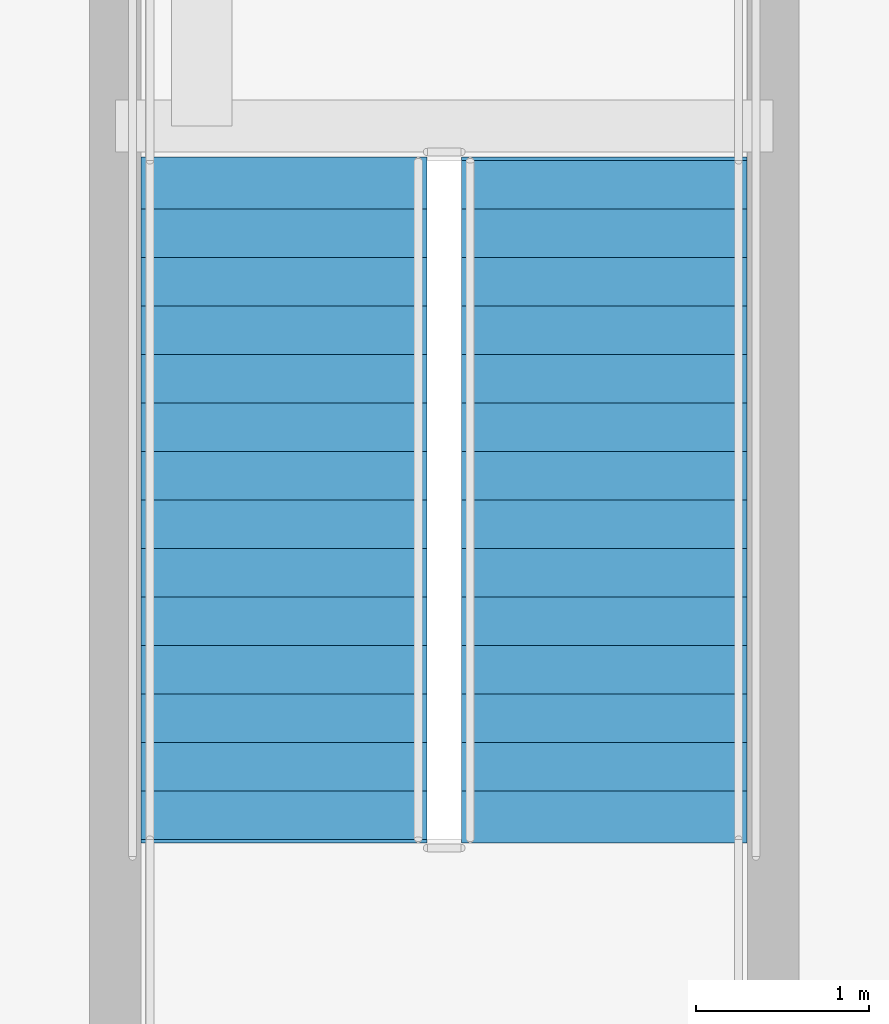
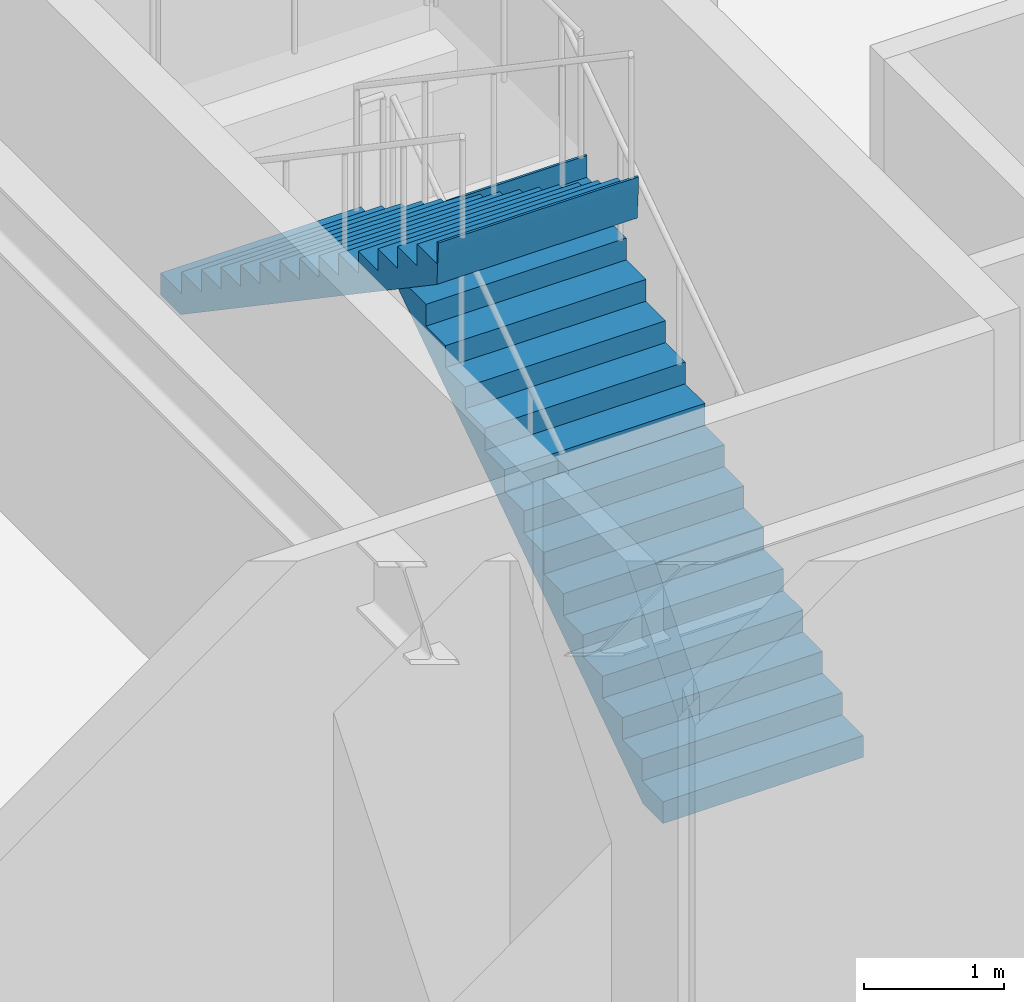
# One storey, part 7 of 12: 2 stair flights, 1 element without a shape of its own.
"""IFC4 building model written with IfcOpenShell, lengths in metres."""

from ifc_helpers import new_model, si_unit, direction, frame, origin, place, context, subcontext, project, spatial, polygons, material, type_object, element, aggregate, save


model = new_model("IFC4")

# Units and contexts
model_context = context("Model", 3, precision=1e-05, world=origin(), true_north=direction((0.0, 1.0)))
body_context = subcontext(model_context, "Body", "Model", "MODEL_VIEW")
ifc_project = project(units=[si_unit("LENGTHUNIT", "METRE"), si_unit("AREAUNIT", "SQUARE_METRE"), si_unit("VOLUMEUNIT", "CUBIC_METRE"), si_unit("PLANEANGLEUNIT", "RADIAN"), si_unit("MASSUNIT", "GRAM", prefix="KILO")], contexts=[model_context])

# Site, building, storey
site_placement = place(None, origin())
site = spatial("IfcSite", under=ifc_project, at=site_placement, CompositionType="ELEMENT")
building_placement = place(site_placement, origin())
building = spatial("IfcBuilding", under=site, at=building_placement, Name="Serunith Strait Residences", CompositionType="ELEMENT")
storey_placement = place(building_placement, frame((0.0, 0.0, 15.300048828125)))
storey = spatial("IfcBuildingStorey", under=building, at=storey_placement, Name="L03", CompositionType="ELEMENT", Elevation=15.300048828125)

# Stair, stair flights
ifc_material = material(Name="Concrete C50/60", Category="concrete")
stair_type = type_object("IfcStairType", Name="STR-POD-3", PredefinedType="HALF_TURN_STAIR", material=ifc_material)
stair_placement = place(storey_placement, origin())
stair = element("IfcStair", 1, at=stair_placement, inside=storey, type_object=stair_type, Name="L03 Podium Escape Stair ST-3", PredefinedType="HALF_TURN_STAIR")
stair_flight_type = type_object("IfcStairFlightType", Name="FLT-POD-3", PredefinedType="STRAIGHT", material=ifc_material)
stair_flight_1_placement = place(storey_placement, frame((16.875, 36.8798828125, 0.0), z_axis=(0.0, 0.0, 1.0), x_axis=(0.0, 1.0, 0.0)))
stair_flight_1 = element("IfcStairFlight", 2, at=stair_flight_1_placement, type_object=stair_flight_type, Name="ST-3 flight 1", NumberOfRisers=15, NumberOfTreads=14, PredefinedType="STRAIGHT", RiserHeight=0.19, TreadLength=0.28, context=body_context, shape_type="Tessellation", body=[
    polygons([(-0.02001953125, -0.824951171875, 0.0), (-0.02001953125, -0.824951171875, 0.18994140625), (0.280029296875, -0.824951171875, 0.18994140625), (0.280029296875, -0.824951171875, 0.3798828125), (0.56005859375, -0.824951171875, 0.3798828125), (0.56005859375, -0.824951171875, 0.570068359375), (0.840087890625, -0.824951171875, 0.570068359375), (0.840087890625, -0.824951171875, 0.760009765625), (1.1201171875, -0.824951171875, 0.760009765625), (1.1201171875, -0.824951171875, 0.949951171875), (1.39990234375, -0.824951171875, 0.949951171875), (1.39990234375, -0.824951171875, 1.139892578125), (1.679931640625, -0.824951171875, 1.139892578125), (1.679931640625, -0.824951171875, 1.330078125), (1.9599609375, -0.824951171875, 1.330078125), (1.9599609375, -0.824951171875, 1.52001953125), (2.239990234375, -0.824951171875, 1.52001953125), (2.239990234375, -0.824951171875, 1.7099609375), (2.52001953125, -0.824951171875, 1.7099609375), (2.52001953125, -0.824951171875, 1.89990234375), (2.800048828125, -0.824951171875, 1.89990234375), (2.800048828125, -0.824951171875, 2.090087890625), (3.080078125, -0.824951171875, 2.090087890625), (3.080078125, -0.824951171875, 2.280029296875), (3.360107421875, -0.824951171875, 2.280029296875), (3.360107421875, -0.824951171875, 2.469970703125), (3.639892578125, -0.824951171875, 2.469970703125), (3.639892578125, -0.824951171875, 2.659912109375), (3.919921875, -0.824951171875, 2.659912109375), (3.919921875, -0.824951171875, 2.85009765625), (3.93994140625, -0.824951171875, 2.85009765625), (3.93994140625, -0.824951171875, 2.7900390625), (3.919921875, -0.824951171875, 2.478759765625), (0.266845703125, -0.824951171875, 0.0), (-0.02001953125, -0.41259765625, 0.0), (-0.02001953125, -0.41259765625, 0.18994140625), (0.280029296875, -0.41259765625, 0.18994140625), (0.280029296875, -0.41259765625, 0.3798828125), (0.56005859375, -0.41259765625, 0.3798828125), (0.56005859375, -0.41259765625, 0.570068359375), (0.840087890625, -0.41259765625, 0.570068359375), (0.840087890625, -0.41259765625, 0.760009765625), (1.1201171875, -0.41259765625, 0.760009765625), (1.1201171875, -0.41259765625, 0.949951171875), (1.39990234375, -0.41259765625, 0.949951171875), (1.39990234375, -0.41259765625, 1.139892578125), (1.679931640625, -0.41259765625, 1.139892578125), (1.679931640625, -0.41259765625, 1.330078125), (1.9599609375, -0.41259765625, 1.330078125), (1.9599609375, -0.41259765625, 1.52001953125), (2.239990234375, -0.41259765625, 1.52001953125), (2.239990234375, -0.41259765625, 1.7099609375), (2.52001953125, -0.41259765625, 1.7099609375), (2.52001953125, -0.41259765625, 1.89990234375), (2.800048828125, -0.41259765625, 1.89990234375), (2.800048828125, -0.41259765625, 2.090087890625), (3.080078125, -0.41259765625, 2.090087890625), (3.080078125, -0.41259765625, 2.280029296875), (3.360107421875, -0.41259765625, 2.280029296875), (3.360107421875, -0.41259765625, 2.469970703125), (3.639892578125, -0.41259765625, 2.469970703125), (3.639892578125, -0.41259765625, 2.659912109375), (3.919921875, -0.41259765625, 2.659912109375), (3.919921875, -0.41259765625, 2.85009765625), (3.93994140625, -0.41259765625, 2.85009765625), (3.93994140625, -0.41259765625, 2.7900390625), (3.919921875, -0.41259765625, 2.478759765625), (0.266845703125, -0.41259765625, 0.0), (-0.02001953125, 0.0, 0.0), (-0.02001953125, 0.0, 0.18994140625), (0.280029296875, 0.0, 0.18994140625), (0.280029296875, 0.0, 0.3798828125), (0.56005859375, 0.0, 0.3798828125), (0.56005859375, 0.0, 0.570068359375), (0.840087890625, 0.0, 0.570068359375), (0.840087890625, 0.0, 0.760009765625), (1.1201171875, 0.0, 0.760009765625), (1.1201171875, 0.0, 0.949951171875), (1.39990234375, 0.0, 0.949951171875), (1.39990234375, 0.0, 1.139892578125), (1.679931640625, 0.0, 1.139892578125), (1.679931640625, 0.0, 1.330078125), (1.9599609375, 0.0, 1.330078125), (1.9599609375, 0.0, 1.52001953125), (2.239990234375, 0.0, 1.52001953125), (2.239990234375, 0.0, 1.7099609375), (2.52001953125, 0.0, 1.7099609375), (2.52001953125, 0.0, 1.89990234375), (2.800048828125, 0.0, 1.89990234375), (2.800048828125, 0.0, 2.090087890625), (3.080078125, 0.0, 2.090087890625), (3.080078125, 0.0, 2.280029296875), (3.360107421875, 0.0, 2.280029296875), (3.360107421875, 0.0, 2.469970703125), (3.639892578125, 0.0, 2.469970703125), (3.639892578125, 0.0, 2.659912109375), (3.919921875, 0.0, 2.659912109375), (3.919921875, 0.0, 2.85009765625), (3.93994140625, 0.0, 2.85009765625), (3.93994140625, 0.0, 2.7900390625), (3.919921875, 0.0, 2.478759765625), (0.266845703125, 0.0, 0.0), (-0.02001953125, 0.41259765625, 0.0), (-0.02001953125, 0.41259765625, 0.18994140625), (0.280029296875, 0.41259765625, 0.18994140625), (0.280029296875, 0.41259765625, 0.3798828125), (0.56005859375, 0.41259765625, 0.3798828125), (0.56005859375, 0.41259765625, 0.570068359375), (0.840087890625, 0.41259765625, 0.570068359375), (0.840087890625, 0.41259765625, 0.760009765625), (1.1201171875, 0.41259765625, 0.760009765625), (1.1201171875, 0.41259765625, 0.949951171875), (1.39990234375, 0.41259765625, 0.949951171875), (1.39990234375, 0.41259765625, 1.139892578125), (1.679931640625, 0.41259765625, 1.139892578125), (1.679931640625, 0.41259765625, 1.330078125), (1.9599609375, 0.41259765625, 1.330078125), (1.9599609375, 0.41259765625, 1.52001953125), (2.239990234375, 0.41259765625, 1.52001953125), (2.239990234375, 0.41259765625, 1.7099609375), (2.52001953125, 0.41259765625, 1.7099609375), (2.52001953125, 0.41259765625, 1.89990234375), (2.800048828125, 0.41259765625, 1.89990234375), (2.800048828125, 0.41259765625, 2.090087890625), (3.080078125, 0.41259765625, 2.090087890625), (3.080078125, 0.41259765625, 2.280029296875), (3.360107421875, 0.41259765625, 2.280029296875), (3.360107421875, 0.41259765625, 2.469970703125), (3.639892578125, 0.41259765625, 2.469970703125), (3.639892578125, 0.41259765625, 2.659912109375), (3.919921875, 0.41259765625, 2.659912109375), (3.919921875, 0.41259765625, 2.85009765625), (3.93994140625, 0.41259765625, 2.85009765625), (3.93994140625, 0.41259765625, 2.7900390625), (3.919921875, 0.41259765625, 2.478759765625), (0.266845703125, 0.41259765625, 0.0), (-0.02001953125, 0.824951171875, 0.0), (-0.02001953125, 0.824951171875, 0.18994140625), (0.280029296875, 0.824951171875, 0.18994140625), (0.280029296875, 0.824951171875, 0.3798828125), (0.56005859375, 0.824951171875, 0.3798828125), (0.56005859375, 0.824951171875, 0.570068359375), (0.840087890625, 0.824951171875, 0.570068359375), (0.840087890625, 0.824951171875, 0.760009765625), (1.1201171875, 0.824951171875, 0.760009765625), (1.1201171875, 0.824951171875, 0.949951171875), (1.39990234375, 0.824951171875, 0.949951171875), (1.39990234375, 0.824951171875, 1.139892578125), (1.679931640625, 0.824951171875, 1.139892578125), (1.679931640625, 0.824951171875, 1.330078125), (1.9599609375, 0.824951171875, 1.330078125), (1.9599609375, 0.824951171875, 1.52001953125), (2.239990234375, 0.824951171875, 1.52001953125), (2.239990234375, 0.824951171875, 1.7099609375), (2.52001953125, 0.824951171875, 1.7099609375), (2.52001953125, 0.824951171875, 1.89990234375), (2.800048828125, 0.824951171875, 1.89990234375), (2.800048828125, 0.824951171875, 2.090087890625), (3.080078125, 0.824951171875, 2.090087890625), (3.080078125, 0.824951171875, 2.280029296875), (3.360107421875, 0.824951171875, 2.280029296875), (3.360107421875, 0.824951171875, 2.469970703125), (3.639892578125, 0.824951171875, 2.469970703125), (3.639892578125, 0.824951171875, 2.659912109375), (3.919921875, 0.824951171875, 2.659912109375), (3.919921875, 0.824951171875, 2.85009765625), (3.93994140625, 0.824951171875, 2.85009765625), (3.93994140625, 0.824951171875, 2.7900390625), (3.919921875, 0.824951171875, 2.478759765625), (0.266845703125, 0.824951171875, 0.0)], [[[1, 2, 36, 35]], [[2, 3, 37, 36]], [[3, 4, 38, 37]], [[4, 5, 39, 38]], [[5, 6, 40, 39]], [[6, 7, 41, 40]], [[7, 8, 42, 41]], [[8, 9, 43, 42]], [[9, 10, 44, 43]], [[10, 11, 45, 44]], [[11, 12, 46, 45]], [[12, 13, 47, 46]], [[13, 14, 48, 47]], [[14, 15, 49, 48]], [[15, 16, 50, 49]], [[16, 17, 51, 50]], [[17, 18, 52, 51]], [[18, 19, 53, 52]], [[19, 20, 54, 53]], [[20, 21, 55, 54]], [[21, 22, 56, 55]], [[22, 23, 57, 56]], [[23, 24, 58, 57]], [[24, 25, 59, 58]], [[25, 26, 60, 59]], [[26, 27, 61, 60]], [[27, 28, 62, 61]], [[28, 29, 63, 62]], [[29, 30, 64, 63]], [[30, 31, 65, 64]], [[31, 32, 66, 65]], [[32, 33, 67, 66]], [[33, 34, 68, 67]], [[34, 1, 35, 68]], [[35, 36, 70, 69]], [[36, 37, 71, 70]], [[37, 38, 72, 71]], [[38, 39, 73, 72]], [[39, 40, 74, 73]], [[40, 41, 75, 74]], [[41, 42, 76, 75]], [[42, 43, 77, 76]], [[43, 44, 78, 77]], [[44, 45, 79, 78]], [[45, 46, 80, 79]], [[46, 47, 81, 80]], [[47, 48, 82, 81]], [[48, 49, 83, 82]], [[49, 50, 84, 83]], [[50, 51, 85, 84]], [[51, 52, 86, 85]], [[52, 53, 87, 86]], [[53, 54, 88, 87]], [[54, 55, 89, 88]], [[55, 56, 90, 89]], [[56, 57, 91, 90]], [[57, 58, 92, 91]], [[58, 59, 93, 92]], [[59, 60, 94, 93]], [[60, 61, 95, 94]], [[61, 62, 96, 95]], [[62, 63, 97, 96]], [[63, 64, 98, 97]], [[64, 65, 99, 98]], [[65, 66, 100, 99]], [[66, 67, 101, 100]], [[67, 68, 102, 101]], [[68, 35, 69, 102]], [[69, 70, 104, 103]], [[70, 71, 105, 104]], [[71, 72, 106, 105]], [[72, 73, 107, 106]], [[73, 74, 108, 107]], [[74, 75, 109, 108]], [[75, 76, 110, 109]], [[76, 77, 111, 110]], [[77, 78, 112, 111]], [[78, 79, 113, 112]], [[79, 80, 114, 113]], [[80, 81, 115, 114]], [[81, 82, 116, 115]], [[82, 83, 117, 116]], [[83, 84, 118, 117]], [[84, 85, 119, 118]], [[85, 86, 120, 119]], [[86, 87, 121, 120]], [[87, 88, 122, 121]], [[88, 89, 123, 122]], [[89, 90, 124, 123]], [[90, 91, 125, 124]], [[91, 92, 126, 125]], [[92, 93, 127, 126]], [[93, 94, 128, 127]], [[94, 95, 129, 128]], [[95, 96, 130, 129]], [[96, 97, 131, 130]], [[97, 98, 132, 131]], [[98, 99, 133, 132]], [[99, 100, 134, 133]], [[100, 101, 135, 134]], [[101, 102, 136, 135]], [[102, 69, 103, 136]], [[103, 104, 138, 137]], [[104, 105, 139, 138]], [[105, 106, 140, 139]], [[106, 107, 141, 140]], [[107, 108, 142, 141]], [[108, 109, 143, 142]], [[109, 110, 144, 143]], [[110, 111, 145, 144]], [[111, 112, 146, 145]], [[112, 113, 147, 146]], [[113, 114, 148, 147]], [[114, 115, 149, 148]], [[115, 116, 150, 149]], [[116, 117, 151, 150]], [[117, 118, 152, 151]], [[118, 119, 153, 152]], [[119, 120, 154, 153]], [[120, 121, 155, 154]], [[121, 122, 156, 155]], [[122, 123, 157, 156]], [[123, 124, 158, 157]], [[124, 125, 159, 158]], [[125, 126, 160, 159]], [[126, 127, 161, 160]], [[127, 128, 162, 161]], [[128, 129, 163, 162]], [[129, 130, 164, 163]], [[130, 131, 165, 164]], [[131, 132, 166, 165]], [[132, 133, 167, 166]], [[133, 134, 168, 167]], [[134, 135, 169, 168]], [[135, 136, 170, 169]], [[136, 103, 137, 170]], [[34, 33, 32, 31, 30, 29, 28, 27, 26, 25, 24, 23, 22, 21, 20, 19, 18, 17, 16, 15, 14, 13, 12, 11, 10, 9, 8, 7, 6, 5, 4, 3, 2, 1]], [[137, 138, 139, 140, 141, 142, 143, 144, 145, 146, 147, 148, 149, 150, 151, 152, 153, 154, 155, 156, 157, 158, 159, 160, 161, 162, 163, 164, 165, 166, 167, 168, 169, 170]]], closed=True),
])
stair_flight_2_placement = place(storey_placement, frame((15.02490234375, 40.800048828125, 2.849853515625), z_axis=(0.0, 0.0, 1.0), x_axis=(0.0, -1.0, 0.0)))
stair_flight_2 = element("IfcStairFlight", 3, at=stair_flight_2_placement, type_object=stair_flight_type, Name="ST-3 flight 2", NumberOfRisers=15, NumberOfTreads=14, PredefinedType="STRAIGHT", RiserHeight=0.19, TreadLength=0.28, context=body_context, shape_type="Tessellation", body=[
    polygons([(-0.02001953125, -0.824951171875, 0.0), (-0.02001953125, -0.824951171875, 0.18994140625), (0.280029296875, -0.824951171875, 0.18994140625), (0.280029296875, -0.824951171875, 0.3798828125), (0.56005859375, -0.824951171875, 0.3798828125), (0.56005859375, -0.824951171875, 0.570068359375), (0.840087890625, -0.824951171875, 0.570068359375), (0.840087890625, -0.824951171875, 0.760009765625), (1.1201171875, -0.824951171875, 0.760009765625), (1.1201171875, -0.824951171875, 0.949951171875), (1.39990234375, -0.824951171875, 0.949951171875), (1.39990234375, -0.824951171875, 1.139892578125), (1.679931640625, -0.824951171875, 1.139892578125), (1.679931640625, -0.824951171875, 1.330078125), (1.9599609375, -0.824951171875, 1.330078125), (1.9599609375, -0.824951171875, 1.52001953125), (2.239990234375, -0.824951171875, 1.52001953125), (2.239990234375, -0.824951171875, 1.7099609375), (2.52001953125, -0.824951171875, 1.7099609375), (2.52001953125, -0.824951171875, 1.89990234375), (2.800048828125, -0.824951171875, 1.89990234375), (2.800048828125, -0.824951171875, 2.090087890625), (3.080078125, -0.824951171875, 2.090087890625), (3.080078125, -0.824951171875, 2.280029296875), (3.360107421875, -0.824951171875, 2.280029296875), (3.360107421875, -0.824951171875, 2.469970703125), (3.639892578125, -0.824951171875, 2.469970703125), (3.639892578125, -0.824951171875, 2.659912109375), (3.919921875, -0.824951171875, 2.659912109375), (3.919921875, -0.824951171875, 2.85009765625), (3.93994140625, -0.824951171875, 2.85009765625), (3.93994140625, -0.824951171875, 2.7900390625), (3.919921875, -0.824951171875, 2.478759765625), (0.266845703125, -0.824951171875, 0.0), (-0.02001953125, -0.41259765625, 0.0), (-0.02001953125, -0.41259765625, 0.18994140625), (0.280029296875, -0.41259765625, 0.18994140625), (0.280029296875, -0.41259765625, 0.3798828125), (0.56005859375, -0.41259765625, 0.3798828125), (0.56005859375, -0.41259765625, 0.570068359375), (0.840087890625, -0.41259765625, 0.570068359375), (0.840087890625, -0.41259765625, 0.760009765625), (1.1201171875, -0.41259765625, 0.760009765625), (1.1201171875, -0.41259765625, 0.949951171875), (1.39990234375, -0.41259765625, 0.949951171875), (1.39990234375, -0.41259765625, 1.139892578125), (1.679931640625, -0.41259765625, 1.139892578125), (1.679931640625, -0.41259765625, 1.330078125), (1.9599609375, -0.41259765625, 1.330078125), (1.9599609375, -0.41259765625, 1.52001953125), (2.239990234375, -0.41259765625, 1.52001953125), (2.239990234375, -0.41259765625, 1.7099609375), (2.52001953125, -0.41259765625, 1.7099609375), (2.52001953125, -0.41259765625, 1.89990234375), (2.800048828125, -0.41259765625, 1.89990234375), (2.800048828125, -0.41259765625, 2.090087890625), (3.080078125, -0.41259765625, 2.090087890625), (3.080078125, -0.41259765625, 2.280029296875), (3.360107421875, -0.41259765625, 2.280029296875), (3.360107421875, -0.41259765625, 2.469970703125), (3.639892578125, -0.41259765625, 2.469970703125), (3.639892578125, -0.41259765625, 2.659912109375), (3.919921875, -0.41259765625, 2.659912109375), (3.919921875, -0.41259765625, 2.85009765625), (3.93994140625, -0.41259765625, 2.85009765625), (3.93994140625, -0.41259765625, 2.7900390625), (3.919921875, -0.41259765625, 2.478759765625), (0.266845703125, -0.41259765625, 0.0), (-0.02001953125, 0.0, 0.0), (-0.02001953125, 0.0, 0.18994140625), (0.280029296875, 0.0, 0.18994140625), (0.280029296875, 0.0, 0.3798828125), (0.56005859375, 0.0, 0.3798828125), (0.56005859375, 0.0, 0.570068359375), (0.840087890625, 0.0, 0.570068359375), (0.840087890625, 0.0, 0.760009765625), (1.1201171875, 0.0, 0.760009765625), (1.1201171875, 0.0, 0.949951171875), (1.39990234375, 0.0, 0.949951171875), (1.39990234375, 0.0, 1.139892578125), (1.679931640625, 0.0, 1.139892578125), (1.679931640625, 0.0, 1.330078125), (1.9599609375, 0.0, 1.330078125), (1.9599609375, 0.0, 1.52001953125), (2.239990234375, 0.0, 1.52001953125), (2.239990234375, 0.0, 1.7099609375), (2.52001953125, 0.0, 1.7099609375), (2.52001953125, 0.0, 1.89990234375), (2.800048828125, 0.0, 1.89990234375), (2.800048828125, 0.0, 2.090087890625), (3.080078125, 0.0, 2.090087890625), (3.080078125, 0.0, 2.280029296875), (3.360107421875, 0.0, 2.280029296875), (3.360107421875, 0.0, 2.469970703125), (3.639892578125, 0.0, 2.469970703125), (3.639892578125, 0.0, 2.659912109375), (3.919921875, 0.0, 2.659912109375), (3.919921875, 0.0, 2.85009765625), (3.93994140625, 0.0, 2.85009765625), (3.93994140625, 0.0, 2.7900390625), (3.919921875, 0.0, 2.478759765625), (0.266845703125, 0.0, 0.0), (-0.02001953125, 0.41259765625, 0.0), (-0.02001953125, 0.41259765625, 0.18994140625), (0.280029296875, 0.41259765625, 0.18994140625), (0.280029296875, 0.41259765625, 0.3798828125), (0.56005859375, 0.41259765625, 0.3798828125), (0.56005859375, 0.41259765625, 0.570068359375), (0.840087890625, 0.41259765625, 0.570068359375), (0.840087890625, 0.41259765625, 0.760009765625), (1.1201171875, 0.41259765625, 0.760009765625), (1.1201171875, 0.41259765625, 0.949951171875), (1.39990234375, 0.41259765625, 0.949951171875), (1.39990234375, 0.41259765625, 1.139892578125), (1.679931640625, 0.41259765625, 1.139892578125), (1.679931640625, 0.41259765625, 1.330078125), (1.9599609375, 0.41259765625, 1.330078125), (1.9599609375, 0.41259765625, 1.52001953125), (2.239990234375, 0.41259765625, 1.52001953125), (2.239990234375, 0.41259765625, 1.7099609375), (2.52001953125, 0.41259765625, 1.7099609375), (2.52001953125, 0.41259765625, 1.89990234375), (2.800048828125, 0.41259765625, 1.89990234375), (2.800048828125, 0.41259765625, 2.090087890625), (3.080078125, 0.41259765625, 2.090087890625), (3.080078125, 0.41259765625, 2.280029296875), (3.360107421875, 0.41259765625, 2.280029296875), (3.360107421875, 0.41259765625, 2.469970703125), (3.639892578125, 0.41259765625, 2.469970703125), (3.639892578125, 0.41259765625, 2.659912109375), (3.919921875, 0.41259765625, 2.659912109375), (3.919921875, 0.41259765625, 2.85009765625), (3.93994140625, 0.41259765625, 2.85009765625), (3.93994140625, 0.41259765625, 2.7900390625), (3.919921875, 0.41259765625, 2.478759765625), (0.266845703125, 0.41259765625, 0.0), (-0.02001953125, 0.824951171875, 0.0), (-0.02001953125, 0.824951171875, 0.18994140625), (0.280029296875, 0.824951171875, 0.18994140625), (0.280029296875, 0.824951171875, 0.3798828125), (0.56005859375, 0.824951171875, 0.3798828125), (0.56005859375, 0.824951171875, 0.570068359375), (0.840087890625, 0.824951171875, 0.570068359375), (0.840087890625, 0.824951171875, 0.760009765625), (1.1201171875, 0.824951171875, 0.760009765625), (1.1201171875, 0.824951171875, 0.949951171875), (1.39990234375, 0.824951171875, 0.949951171875), (1.39990234375, 0.824951171875, 1.139892578125), (1.679931640625, 0.824951171875, 1.139892578125), (1.679931640625, 0.824951171875, 1.330078125), (1.9599609375, 0.824951171875, 1.330078125), (1.9599609375, 0.824951171875, 1.52001953125), (2.239990234375, 0.824951171875, 1.52001953125), (2.239990234375, 0.824951171875, 1.7099609375), (2.52001953125, 0.824951171875, 1.7099609375), (2.52001953125, 0.824951171875, 1.89990234375), (2.800048828125, 0.824951171875, 1.89990234375), (2.800048828125, 0.824951171875, 2.090087890625), (3.080078125, 0.824951171875, 2.090087890625), (3.080078125, 0.824951171875, 2.280029296875), (3.360107421875, 0.824951171875, 2.280029296875), (3.360107421875, 0.824951171875, 2.469970703125), (3.639892578125, 0.824951171875, 2.469970703125), (3.639892578125, 0.824951171875, 2.659912109375), (3.919921875, 0.824951171875, 2.659912109375), (3.919921875, 0.824951171875, 2.85009765625), (3.93994140625, 0.824951171875, 2.85009765625), (3.93994140625, 0.824951171875, 2.7900390625), (3.919921875, 0.824951171875, 2.478759765625), (0.266845703125, 0.824951171875, 0.0)], [[[1, 2, 36, 35]], [[2, 3, 37, 36]], [[3, 4, 38, 37]], [[4, 5, 39, 38]], [[5, 6, 40, 39]], [[6, 7, 41, 40]], [[7, 8, 42, 41]], [[8, 9, 43, 42]], [[9, 10, 44, 43]], [[10, 11, 45, 44]], [[11, 12, 46, 45]], [[12, 13, 47, 46]], [[13, 14, 48, 47]], [[14, 15, 49, 48]], [[15, 16, 50, 49]], [[16, 17, 51, 50]], [[17, 18, 52, 51]], [[18, 19, 53, 52]], [[19, 20, 54, 53]], [[20, 21, 55, 54]], [[21, 22, 56, 55]], [[22, 23, 57, 56]], [[23, 24, 58, 57]], [[24, 25, 59, 58]], [[25, 26, 60, 59]], [[26, 27, 61, 60]], [[27, 28, 62, 61]], [[28, 29, 63, 62]], [[29, 30, 64, 63]], [[30, 31, 65, 64]], [[31, 32, 66, 65]], [[32, 33, 67, 66]], [[33, 34, 68, 67]], [[34, 1, 35, 68]], [[35, 36, 70, 69]], [[36, 37, 71, 70]], [[37, 38, 72, 71]], [[38, 39, 73, 72]], [[39, 40, 74, 73]], [[40, 41, 75, 74]], [[41, 42, 76, 75]], [[42, 43, 77, 76]], [[43, 44, 78, 77]], [[44, 45, 79, 78]], [[45, 46, 80, 79]], [[46, 47, 81, 80]], [[47, 48, 82, 81]], [[48, 49, 83, 82]], [[49, 50, 84, 83]], [[50, 51, 85, 84]], [[51, 52, 86, 85]], [[52, 53, 87, 86]], [[53, 54, 88, 87]], [[54, 55, 89, 88]], [[55, 56, 90, 89]], [[56, 57, 91, 90]], [[57, 58, 92, 91]], [[58, 59, 93, 92]], [[59, 60, 94, 93]], [[60, 61, 95, 94]], [[61, 62, 96, 95]], [[62, 63, 97, 96]], [[63, 64, 98, 97]], [[64, 65, 99, 98]], [[65, 66, 100, 99]], [[66, 67, 101, 100]], [[67, 68, 102, 101]], [[68, 35, 69, 102]], [[69, 70, 104, 103]], [[70, 71, 105, 104]], [[71, 72, 106, 105]], [[72, 73, 107, 106]], [[73, 74, 108, 107]], [[74, 75, 109, 108]], [[75, 76, 110, 109]], [[76, 77, 111, 110]], [[77, 78, 112, 111]], [[78, 79, 113, 112]], [[79, 80, 114, 113]], [[80, 81, 115, 114]], [[81, 82, 116, 115]], [[82, 83, 117, 116]], [[83, 84, 118, 117]], [[84, 85, 119, 118]], [[85, 86, 120, 119]], [[86, 87, 121, 120]], [[87, 88, 122, 121]], [[88, 89, 123, 122]], [[89, 90, 124, 123]], [[90, 91, 125, 124]], [[91, 92, 126, 125]], [[92, 93, 127, 126]], [[93, 94, 128, 127]], [[94, 95, 129, 128]], [[95, 96, 130, 129]], [[96, 97, 131, 130]], [[97, 98, 132, 131]], [[98, 99, 133, 132]], [[99, 100, 134, 133]], [[100, 101, 135, 134]], [[101, 102, 136, 135]], [[102, 69, 103, 136]], [[103, 104, 138, 137]], [[104, 105, 139, 138]], [[105, 106, 140, 139]], [[106, 107, 141, 140]], [[107, 108, 142, 141]], [[108, 109, 143, 142]], [[109, 110, 144, 143]], [[110, 111, 145, 144]], [[111, 112, 146, 145]], [[112, 113, 147, 146]], [[113, 114, 148, 147]], [[114, 115, 149, 148]], [[115, 116, 150, 149]], [[116, 117, 151, 150]], [[117, 118, 152, 151]], [[118, 119, 153, 152]], [[119, 120, 154, 153]], [[120, 121, 155, 154]], [[121, 122, 156, 155]], [[122, 123, 157, 156]], [[123, 124, 158, 157]], [[124, 125, 159, 158]], [[125, 126, 160, 159]], [[126, 127, 161, 160]], [[127, 128, 162, 161]], [[128, 129, 163, 162]], [[129, 130, 164, 163]], [[130, 131, 165, 164]], [[131, 132, 166, 165]], [[132, 133, 167, 166]], [[133, 134, 168, 167]], [[134, 135, 169, 168]], [[135, 136, 170, 169]], [[136, 103, 137, 170]], [[34, 33, 32, 31, 30, 29, 28, 27, 26, 25, 24, 23, 22, 21, 20, 19, 18, 17, 16, 15, 14, 13, 12, 11, 10, 9, 8, 7, 6, 5, 4, 3, 2, 1]], [[137, 138, 139, 140, 141, 142, 143, 144, 145, 146, 147, 148, 149, 150, 151, 152, 153, 154, 155, 156, 157, 158, 159, 160, 161, 162, 163, 164, 165, 166, 167, 168, 169, 170]]], closed=True),
])
aggregate(stair, [stair_flight_1, stair_flight_2])

save(model, "model.ifc")
